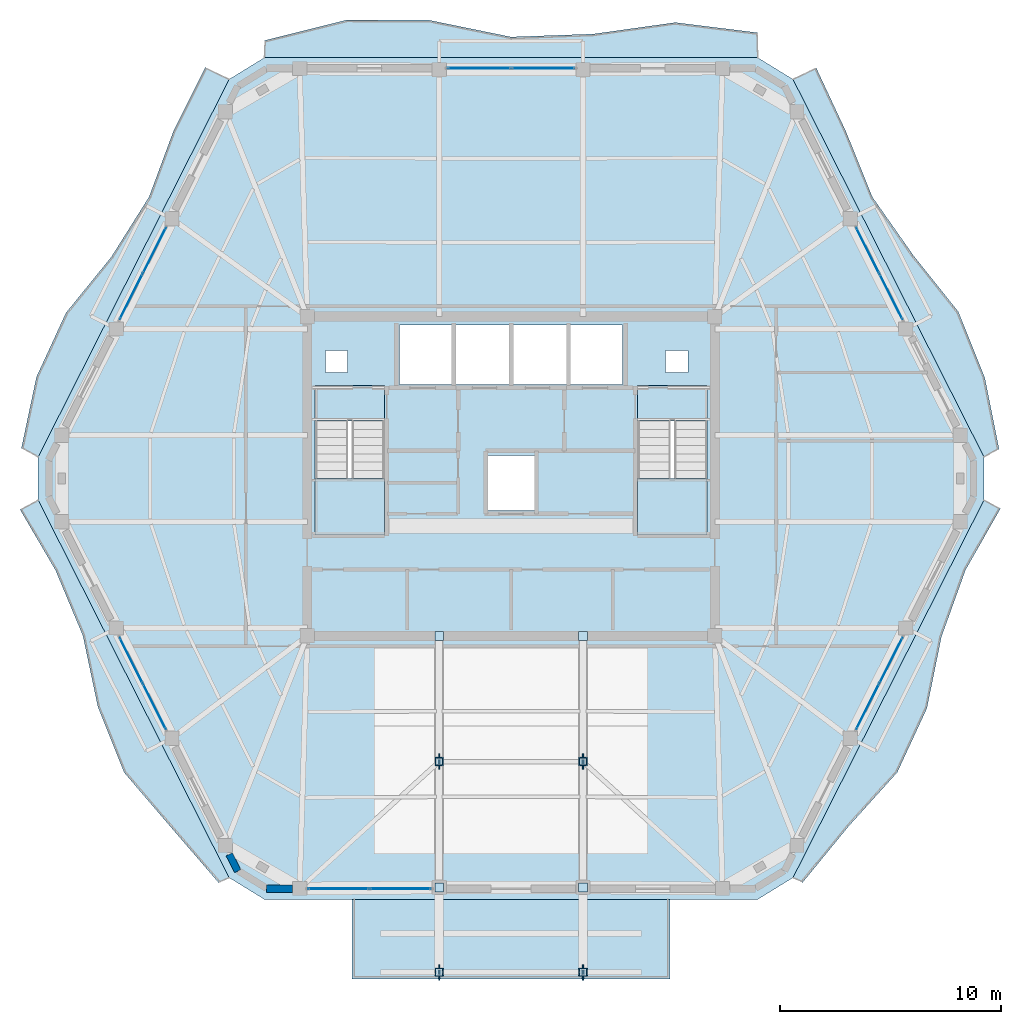
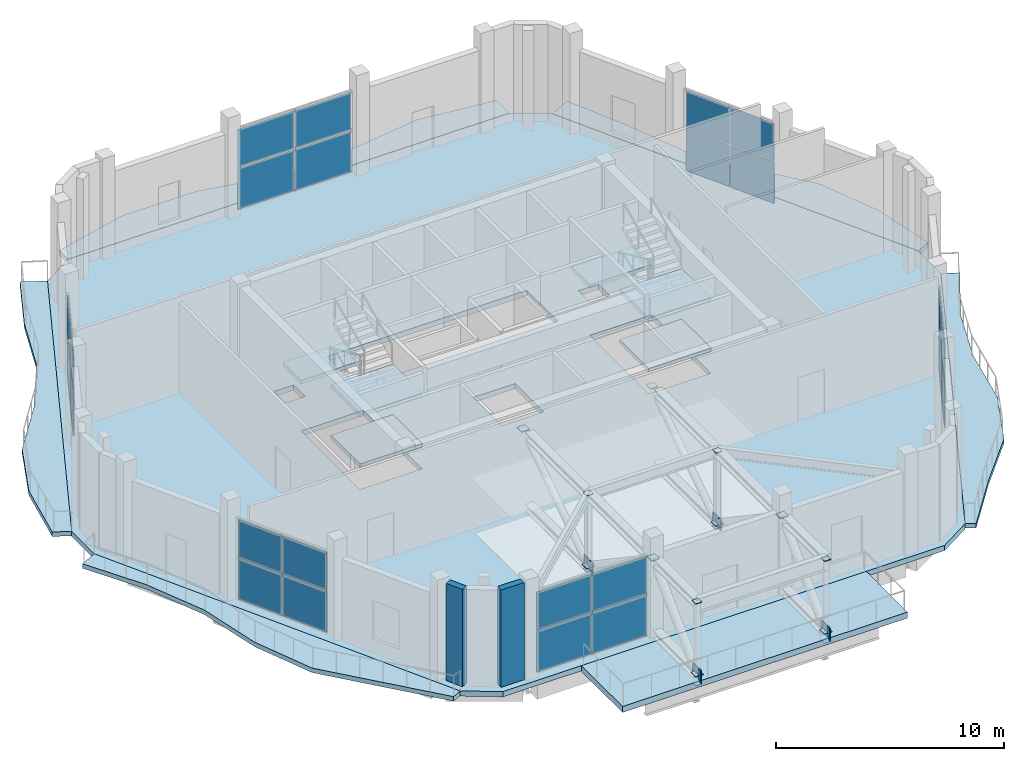
# One storey, part 17 of 23: 44 plates, 13 slabs, 2 walls, 8 elements without a shape of their own.
"""IFC4 building model written with IfcOpenShell, lengths in metres."""

from ifc_helpers import new_model, si_unit, direction, frame, frame_2d, origin, origin_2d, place, context, subcontext, project, spatial, polyline, rectangle, outline, extrude, material, layer, layer_set, type_object, element, aggregate, save


model = new_model("IFC4")

# Units and contexts
model_context = context("Model", 3, precision=1e-05, world=origin(), true_north=direction((0.0, 1.0)))
body_context = subcontext(model_context, "Body", "Model", "MODEL_VIEW")
ifc_project = project(units=[si_unit("LENGTHUNIT", "METRE"), si_unit("AREAUNIT", "SQUARE_METRE"), si_unit("VOLUMEUNIT", "CUBIC_METRE"), si_unit("PLANEANGLEUNIT", "RADIAN"), si_unit("MASSUNIT", "GRAM", prefix="KILO")], contexts=[model_context])

# Site, building, storey
site_placement = place(None, origin())
site = spatial("IfcSite", under=ifc_project, at=site_placement, CompositionType="ELEMENT")
building_placement = place(site_placement, origin())
building = spatial("IfcBuilding", under=site, at=building_placement, Name="Cinnabar Lancet Tower", CompositionType="ELEMENT")
storey_placement = place(building_placement, frame((0.0, 0.0, 278.10009765625)))
storey = spatial("IfcBuildingStorey", under=building, at=storey_placement, Name="L74", CompositionType="ELEMENT", Elevation=278.10009765625)

# Curtain wall, plates
ifc_material_1 = material(Name="Thermally broken bronze-anodized aluminium and low-E glass", Category="aluminium")
ifc_layer_1 = layer(ifc_material_1, 0.179931640625)
ifc_layer_set_1 = layer_set([ifc_layer_1], Name="Thermally broken bronze-anodized aluminium and low-E glass")
curtain_wall_type = type_object("IfcCurtainWallType", Name="ENV-CW-SYS-04", PredefinedType="NOTDEFINED", material=ifc_layer_set_1)
curtain_wall_1_placement = place(storey_placement, origin())
curtain_wall_1 = element("IfcCurtainWall", 1, at=curtain_wall_1_placement, inside=storey, type_object=curtain_wall_type, Name="L74 South Conservatory Curtain Wall", PredefinedType="NOTDEFINED")
ifc_material_2 = material(Name="Double-silver low-E laminated insulated glass unit", Category="glass")
ifc_layer_2 = layer(ifc_material_2, 0.031982421875)
ifc_layer_set_2 = layer_set([ifc_layer_2], Name="Double-silver low-E laminated insulated glass unit")
plate_type_1 = type_object("IfcPlateType", Name="ENV-CW-PNL-32", PredefinedType="CURTAIN_PANEL", material=ifc_layer_set_2)
plate_1_placement = place(storey_placement, frame((24.5869140625, 7.22998046875, 0.06005859375), z_axis=(0.0, 0.0, 1.0), x_axis=(1.0, 0.0, 0.0)))
plate_1 = element("IfcPlate", 2, at=plate_1_placement, type_object=plate_type_1, Name="CW-04 panel 1.1", PredefinedType="CURTAIN_PANEL", context=body_context, shape_type="SweptSolid", body=[
    extrude(rectangle(XDim=2.739990234375, YDim=0.028076171875, at=origin_2d()), origin(), (0.0, 0.0, 1.0), 2.193115234375),
])
plate_2_placement = place(storey_placement, frame((24.5869140625, 7.22998046875, 2.312744140625), z_axis=(0.0, 0.0, 1.0), x_axis=(1.0, 0.0, 0.0)))
plate_2 = element("IfcPlate", 3, at=plate_2_placement, type_object=plate_type_1, Name="CW-04 panel 1.2", PredefinedType="CURTAIN_PANEL", context=body_context, shape_type="SweptSolid", body=[
    extrude(rectangle(XDim=2.739990234375, YDim=0.028076171875, at=origin_2d()), origin(), (0.0, 0.0, 1.0), 2.01708984375),
])
plate_3_placement = place(storey_placement, frame((27.386962890625, 7.22998046875, 0.06005859375), z_axis=(0.0, 0.0, 1.0), x_axis=(1.0, 0.0, 0.0)))
plate_3 = element("IfcPlate", 4, at=plate_3_placement, type_object=plate_type_1, Name="CW-04 panel 2.1", PredefinedType="CURTAIN_PANEL", context=body_context, shape_type="SweptSolid", body=[
    extrude(rectangle(XDim=2.739990234375, YDim=0.028076171875, at=origin_2d()), origin(), (0.0, 0.0, 1.0), 2.193115234375),
])
plate_4_placement = place(storey_placement, frame((27.386962890625, 7.22998046875, 2.312744140625), z_axis=(0.0, 0.0, 1.0), x_axis=(1.0, 0.0, 0.0)))
plate_4 = element("IfcPlate", 5, at=plate_4_placement, type_object=plate_type_1, Name="CW-04 panel 2.2", PredefinedType="CURTAIN_PANEL", context=body_context, shape_type="SweptSolid", body=[
    extrude(rectangle(XDim=2.739990234375, YDim=0.028076171875, at=origin_2d()), origin(), (0.0, 0.0, 1.0), 2.01708984375),
])
aggregate(curtain_wall_1, [plate_1, plate_2, plate_3, plate_4])

curtain_wall_2_placement = place(storey_placement, origin())
curtain_wall_2 = element("IfcCurtainWall", 6, at=curtain_wall_2_placement, inside=storey, type_object=curtain_wall_type, Name="L74 Face 2 Feature Curtain Wall", PredefinedType="NOTDEFINED")
plate_5_placement = place(storey_placement, frame((48.542236328125, 15.481201171875, 0.06005859375), z_axis=(0.0, 0.0, 1.0), x_axis=(0.451354314314, 0.892344822897, 0.0)))
plate_5 = element("IfcPlate", 7, at=plate_5_placement, type_object=plate_type_1, Name="CW-04 panel 1.1", PredefinedType="CURTAIN_PANEL", context=body_context, shape_type="SweptSolid", body=[
    extrude(rectangle(XDim=2.27392578125, YDim=0.028076171875, at=origin_2d()), origin(), (0.0, 0.0, 1.0), 2.193115234375),
])
plate_6_placement = place(storey_placement, frame((48.542236328125, 15.481201171875, 2.312744140625), z_axis=(0.0, 0.0, 1.0), x_axis=(0.451354314314, 0.892344822897, 0.0)))
plate_6 = element("IfcPlate", 8, at=plate_6_placement, type_object=plate_type_1, Name="CW-04 panel 1.2", PredefinedType="CURTAIN_PANEL", context=body_context, shape_type="SweptSolid", body=[
    extrude(rectangle(XDim=2.27392578125, YDim=0.028076171875, at=origin_2d()), origin(), (0.0, 0.0, 1.0), 2.01708984375),
])
plate_7_placement = place(storey_placement, frame((49.595703125, 17.56396484375, 0.06005859375), z_axis=(0.0, 0.0, 1.0), x_axis=(0.451354314314, 0.892344822897, 0.0)))
plate_7 = element("IfcPlate", 9, at=plate_7_placement, type_object=plate_type_1, Name="CW-04 panel 2.1", PredefinedType="CURTAIN_PANEL", context=body_context, shape_type="SweptSolid", body=[
    extrude(rectangle(XDim=2.27392578125, YDim=0.028076171875, at=origin_2d()), origin(), (0.0, 0.0, 1.0), 2.193115234375),
])
plate_8_placement = place(storey_placement, frame((49.595703125, 17.56396484375, 2.312744140625), z_axis=(0.0, 0.0, 1.0), x_axis=(0.451354314314, 0.892344822897, 0.0)))
plate_8 = element("IfcPlate", 10, at=plate_8_placement, type_object=plate_type_1, Name="CW-04 panel 2.2", PredefinedType="CURTAIN_PANEL", context=body_context, shape_type="SweptSolid", body=[
    extrude(rectangle(XDim=2.27392578125, YDim=0.028076171875, at=origin_2d()), origin(), (0.0, 0.0, 1.0), 2.01708984375),
])
aggregate(curtain_wall_2, [plate_5, plate_6, plate_7, plate_8])

curtain_wall_3_placement = place(storey_placement, origin())
curtain_wall_3 = element("IfcCurtainWall", 11, at=curtain_wall_3_placement, inside=storey, type_object=curtain_wall_type, Name="L74 Face 3 Feature Curtain Wall", PredefinedType="NOTDEFINED")
plate_9_placement = place(storey_placement, frame((49.595703125, 34.0361328125, 0.06005859375), z_axis=(0.0, 0.0, 1.0), x_axis=(-0.451354314314, 0.892344822897, 0.0)))
plate_9 = element("IfcPlate", 12, at=plate_9_placement, type_object=plate_type_1, Name="CW-04 panel 1.1", PredefinedType="CURTAIN_PANEL", context=body_context, shape_type="SweptSolid", body=[
    extrude(rectangle(XDim=2.27392578125, YDim=0.028076171875, at=origin_2d()), origin(), (0.0, 0.0, 1.0), 2.193115234375),
])
plate_10_placement = place(storey_placement, frame((49.595703125, 34.0361328125, 2.312744140625), z_axis=(0.0, 0.0, 1.0), x_axis=(-0.451354314314, 0.892344822897, 0.0)))
plate_10 = element("IfcPlate", 13, at=plate_10_placement, type_object=plate_type_1, Name="CW-04 panel 1.2", PredefinedType="CURTAIN_PANEL", context=body_context, shape_type="SweptSolid", body=[
    extrude(rectangle(XDim=2.27392578125, YDim=0.028076171875, at=origin_2d()), origin(), (0.0, 0.0, 1.0), 2.01708984375),
])
plate_11_placement = place(storey_placement, frame((48.542236328125, 36.118896484375, 0.06005859375), z_axis=(0.0, 0.0, 1.0), x_axis=(-0.451354314314, 0.892344822897, 0.0)))
plate_11 = element("IfcPlate", 14, at=plate_11_placement, type_object=plate_type_1, Name="CW-04 panel 2.1", PredefinedType="CURTAIN_PANEL", context=body_context, shape_type="SweptSolid", body=[
    extrude(rectangle(XDim=2.27392578125, YDim=0.028076171875, at=origin_2d()), origin(), (0.0, 0.0, 1.0), 2.193115234375),
])
plate_12_placement = place(storey_placement, frame((48.542236328125, 36.118896484375, 2.312744140625), z_axis=(0.0, 0.0, 1.0), x_axis=(-0.451354314314, 0.892344822897, 0.0)))
plate_12 = element("IfcPlate", 15, at=plate_12_placement, type_object=plate_type_1, Name="CW-04 panel 2.2", PredefinedType="CURTAIN_PANEL", context=body_context, shape_type="SweptSolid", body=[
    extrude(rectangle(XDim=2.27392578125, YDim=0.028076171875, at=origin_2d()), origin(), (0.0, 0.0, 1.0), 2.01708984375),
])
aggregate(curtain_wall_3, [plate_9, plate_10, plate_11, plate_12])

curtain_wall_4_placement = place(storey_placement, origin())
curtain_wall_4 = element("IfcCurtainWall", 16, at=curtain_wall_4_placement, inside=storey, type_object=curtain_wall_type, Name="L74 Face 4 Feature Curtain Wall", PredefinedType="NOTDEFINED")
plate_13_placement = place(storey_placement, frame((33.847412109375, 44.3701171875, 0.06005859375), z_axis=(0.0, 0.0, 1.0), x_axis=(-1.0, 0.0, 0.0)))
plate_13 = element("IfcPlate", 17, at=plate_13_placement, type_object=plate_type_1, Name="CW-04 panel 1.1", PredefinedType="CURTAIN_PANEL", context=body_context, shape_type="SweptSolid", body=[
    extrude(rectangle(XDim=2.8349609375, YDim=0.028076171875, at=origin_2d()), origin(), (0.0, 0.0, 1.0), 2.193115234375),
])
plate_14_placement = place(storey_placement, frame((33.847412109375, 44.3701171875, 2.312744140625), z_axis=(0.0, 0.0, 1.0), x_axis=(-1.0, 0.0, 0.0)))
plate_14 = element("IfcPlate", 18, at=plate_14_placement, type_object=plate_type_1, Name="CW-04 panel 1.2", PredefinedType="CURTAIN_PANEL", context=body_context, shape_type="SweptSolid", body=[
    extrude(rectangle(XDim=2.8349609375, YDim=0.028076171875, at=origin_2d()), origin(), (0.0, 0.0, 1.0), 2.01708984375),
])
plate_15_placement = place(storey_placement, frame((30.952392578125, 44.3701171875, 0.06005859375), z_axis=(0.0, 0.0, 1.0), x_axis=(-1.0, 0.0, 0.0)))
plate_15 = element("IfcPlate", 19, at=plate_15_placement, type_object=plate_type_1, Name="CW-04 panel 2.1", PredefinedType="CURTAIN_PANEL", context=body_context, shape_type="SweptSolid", body=[
    extrude(rectangle(XDim=2.8349609375, YDim=0.028076171875, at=origin_2d()), origin(), (0.0, 0.0, 1.0), 2.193115234375),
])
plate_16_placement = place(storey_placement, frame((30.952392578125, 44.3701171875, 2.312744140625), z_axis=(0.0, 0.0, 1.0), x_axis=(-1.0, 0.0, 0.0)))
plate_16 = element("IfcPlate", 20, at=plate_16_placement, type_object=plate_type_1, Name="CW-04 panel 2.2", PredefinedType="CURTAIN_PANEL", context=body_context, shape_type="SweptSolid", body=[
    extrude(rectangle(XDim=2.8349609375, YDim=0.028076171875, at=origin_2d()), origin(), (0.0, 0.0, 1.0), 2.01708984375),
])
aggregate(curtain_wall_4, [plate_13, plate_14, plate_15, plate_16])

curtain_wall_5_placement = place(storey_placement, origin())
curtain_wall_5 = element("IfcCurtainWall", 21, at=curtain_wall_5_placement, inside=storey, type_object=curtain_wall_type, Name="L74 Face 5 Feature Curtain Wall", PredefinedType="NOTDEFINED")
plate_17_placement = place(storey_placement, frame((16.2578125, 36.118896484375, 0.06005859375), z_axis=(0.0, 0.0, 1.0), x_axis=(-0.451354314314, -0.892344822897, 0.0)))
plate_17 = element("IfcPlate", 22, at=plate_17_placement, type_object=plate_type_1, Name="CW-04 panel 1.1", PredefinedType="CURTAIN_PANEL", context=body_context, shape_type="SweptSolid", body=[
    extrude(rectangle(XDim=2.27392578125, YDim=0.028076171875, at=origin_2d()), origin(), (0.0, 0.0, 1.0), 2.193115234375),
])
plate_18_placement = place(storey_placement, frame((16.2578125, 36.118896484375, 2.312744140625), z_axis=(0.0, 0.0, 1.0), x_axis=(-0.451354314314, -0.892344822897, 0.0)))
plate_18 = element("IfcPlate", 23, at=plate_18_placement, type_object=plate_type_1, Name="CW-04 panel 1.2", PredefinedType="CURTAIN_PANEL", context=body_context, shape_type="SweptSolid", body=[
    extrude(rectangle(XDim=2.27392578125, YDim=0.028076171875, at=origin_2d()), origin(), (0.0, 0.0, 1.0), 2.01708984375),
])
plate_19_placement = place(storey_placement, frame((15.204345703125, 34.0361328125, 0.06005859375), z_axis=(0.0, 0.0, 1.0), x_axis=(-0.451354314314, -0.892344822897, 0.0)))
plate_19 = element("IfcPlate", 24, at=plate_19_placement, type_object=plate_type_1, Name="CW-04 panel 2.1", PredefinedType="CURTAIN_PANEL", context=body_context, shape_type="SweptSolid", body=[
    extrude(rectangle(XDim=2.27392578125, YDim=0.028076171875, at=origin_2d()), origin(), (0.0, 0.0, 1.0), 2.193115234375),
])
plate_20_placement = place(storey_placement, frame((15.204345703125, 34.0361328125, 2.312744140625), z_axis=(0.0, 0.0, 1.0), x_axis=(-0.451354314314, -0.892344822897, 0.0)))
plate_20 = element("IfcPlate", 25, at=plate_20_placement, type_object=plate_type_1, Name="CW-04 panel 2.2", PredefinedType="CURTAIN_PANEL", context=body_context, shape_type="SweptSolid", body=[
    extrude(rectangle(XDim=2.27392578125, YDim=0.028076171875, at=origin_2d()), origin(), (0.0, 0.0, 1.0), 2.01708984375),
])
aggregate(curtain_wall_5, [plate_17, plate_18, plate_19, plate_20])

curtain_wall_6_placement = place(storey_placement, origin())
curtain_wall_6 = element("IfcCurtainWall", 26, at=curtain_wall_6_placement, inside=storey, type_object=curtain_wall_type, Name="L74 Face 6 Feature Curtain Wall", PredefinedType="NOTDEFINED")
plate_21_placement = place(storey_placement, frame((15.204345703125, 17.56396484375, 0.06005859375), z_axis=(0.0, 0.0, 1.0), x_axis=(0.451354314314, -0.892344822897, 0.0)))
plate_21 = element("IfcPlate", 27, at=plate_21_placement, type_object=plate_type_1, Name="CW-04 panel 1.1", PredefinedType="CURTAIN_PANEL", context=body_context, shape_type="SweptSolid", body=[
    extrude(rectangle(XDim=2.27392578125, YDim=0.028076171875, at=origin_2d()), origin(), (0.0, 0.0, 1.0), 2.193115234375),
])
plate_22_placement = place(storey_placement, frame((15.204345703125, 17.56396484375, 2.312744140625), z_axis=(0.0, 0.0, 1.0), x_axis=(0.451354314314, -0.892344822897, 0.0)))
plate_22 = element("IfcPlate", 28, at=plate_22_placement, type_object=plate_type_1, Name="CW-04 panel 1.2", PredefinedType="CURTAIN_PANEL", context=body_context, shape_type="SweptSolid", body=[
    extrude(rectangle(XDim=2.27392578125, YDim=0.028076171875, at=origin_2d()), origin(), (0.0, 0.0, 1.0), 2.01708984375),
])
plate_23_placement = place(storey_placement, frame((16.2578125, 15.481201171875, 0.06005859375), z_axis=(0.0, 0.0, 1.0), x_axis=(0.451354314314, -0.892344822897, 0.0)))
plate_23 = element("IfcPlate", 29, at=plate_23_placement, type_object=plate_type_1, Name="CW-04 panel 2.1", PredefinedType="CURTAIN_PANEL", context=body_context, shape_type="SweptSolid", body=[
    extrude(rectangle(XDim=2.27392578125, YDim=0.028076171875, at=origin_2d()), origin(), (0.0, 0.0, 1.0), 2.193115234375),
])
plate_24_placement = place(storey_placement, frame((16.2578125, 15.481201171875, 2.312744140625), z_axis=(0.0, 0.0, 1.0), x_axis=(0.451354314314, -0.892344822897, 0.0)))
plate_24 = element("IfcPlate", 30, at=plate_24_placement, type_object=plate_type_1, Name="CW-04 panel 2.2", PredefinedType="CURTAIN_PANEL", context=body_context, shape_type="SweptSolid", body=[
    extrude(rectangle(XDim=2.27392578125, YDim=0.028076171875, at=origin_2d()), origin(), (0.0, 0.0, 1.0), 2.01708984375),
])
aggregate(curtain_wall_6, [plate_21, plate_22, plate_23, plate_24])

# Stair, slabs
ifc_material_3 = material(Name="Concrete C40/50", Category="concrete")
stair_type = type_object("IfcStairType", Name="ST-CORE", PredefinedType="HALF_TURN_STAIR", material=ifc_material_3)
stair_1_placement = place(storey_placement, origin())
stair_1 = element("IfcStair", 31, at=stair_1_placement, inside=storey, type_object=stair_type, Name="L74 ST-1", PredefinedType="HALF_TURN_STAIR")
ifc_material_4 = material(Name="Concrete C40/50", Category="concrete")
ifc_layer_3 = layer(ifc_material_4, 0.199951171875)
ifc_layer_set_3 = layer_set([ifc_layer_3], Name="Concrete C40/50")
slab_type_1 = type_object("IfcSlabType", Name="LANDING-CORE", PredefinedType="LANDING", material=ifc_layer_set_3)
slab_1_placement = place(storey_placement, frame((0.0, 0.0, 1.14990234375)))
slab_1 = element("IfcSlab", 32, at=slab_1_placement, type_object=slab_type_1, Name="ST-1 landing 1", PredefinedType="LANDING", context=body_context, shape_type="SweptSolid", body=[
    extrude(outline(polyline([(23.52490234375, 25.80029296875), (23.52490234375, 23.25), (26.675048828125, 23.25), (26.675048828125, 25.80029296875), (23.52490234375, 25.80029296875)])), origin(), (0.0, 0.0, 1.0), 0.199951171875),
])
slab_2_placement = place(storey_placement, frame((0.0, 0.0, 2.5)))
slab_2 = element("IfcSlab", 33, at=slab_2_placement, type_object=slab_type_1, Name="ST-1 landing 2", PredefinedType="LANDING", context=body_context, shape_type="SweptSolid", body=[
    extrude(outline(polyline([(23.52490234375, 30.0), (23.52490234375, 28.39990234375), (26.675048828125, 28.39990234375), (26.675048828125, 30.0), (23.52490234375, 30.0)])), origin(), (0.0, 0.0, 1.0), 0.199951171875),
])
slab_3_placement = place(storey_placement, frame((0.0, 0.0, 3.849853515625)))
slab_3 = element("IfcSlab", 34, at=slab_3_placement, type_object=slab_type_1, Name="ST-1 landing 3", PredefinedType="LANDING", context=body_context, shape_type="SweptSolid", body=[
    extrude(outline(polyline([(23.52490234375, 25.80029296875), (23.52490234375, 23.25), (26.675048828125, 23.25), (26.675048828125, 25.80029296875), (23.52490234375, 25.80029296875)])), origin(), (0.0, 0.0, 1.0), 0.199951171875),
])
aggregate(stair_1, [slab_1, slab_2, slab_3])

stair_2_placement = place(storey_placement, origin())
stair_2 = element("IfcStair", 35, at=stair_2_placement, inside=storey, type_object=stair_type, Name="L74 ST-2", PredefinedType="HALF_TURN_STAIR")
slab_4_placement = place(storey_placement, frame((0.0, 0.0, 1.14990234375)))
slab_4 = element("IfcSlab", 36, at=slab_4_placement, type_object=slab_type_1, Name="ST-2 landing 1", PredefinedType="LANDING", context=body_context, shape_type="SweptSolid", body=[
    extrude(outline(polyline([(38.125, 25.80029296875), (38.125, 23.25), (41.27490234375, 23.25), (41.27490234375, 25.80029296875), (38.125, 25.80029296875)])), origin(), (0.0, 0.0, 1.0), 0.199951171875),
])
slab_5_placement = place(storey_placement, frame((0.0, 0.0, 2.5)))
slab_5 = element("IfcSlab", 37, at=slab_5_placement, type_object=slab_type_1, Name="ST-2 landing 2", PredefinedType="LANDING", context=body_context, shape_type="SweptSolid", body=[
    extrude(outline(polyline([(38.125, 30.0), (38.125, 28.39990234375), (41.27490234375, 28.39990234375), (41.27490234375, 30.0), (38.125, 30.0)])), origin(), (0.0, 0.0, 1.0), 0.199951171875),
])
slab_6_placement = place(storey_placement, frame((0.0, 0.0, 3.849853515625)))
slab_6 = element("IfcSlab", 38, at=slab_6_placement, type_object=slab_type_1, Name="ST-2 landing 3", PredefinedType="LANDING", context=body_context, shape_type="SweptSolid", body=[
    extrude(outline(polyline([(38.125, 25.80029296875), (38.125, 23.25), (41.27490234375, 23.25), (41.27490234375, 25.80029296875), (38.125, 25.80029296875)])), origin(), (0.0, 0.0, 1.0), 0.199951171875),
])
aggregate(stair_2, [slab_4, slab_5, slab_6])

# Plates
ifc_material_5 = material(Name="Structural steel S460", Category="steel")
ifc_layer_4 = layer(ifc_material_5, 0.030029296875)
ifc_layer_set_4 = layer_set([ifc_layer_4], Name="Structural steel S460")
plate_type_2 = type_object("IfcPlateType", Name="STR-PL-CAP-25", PredefinedType="SHEET", material=ifc_layer_set_4)
for number, where, z_axis, x_axis, name in (
    (39, (29.14599609375, 12.98291015625, 0.18505859375), (0.0, 0.0, 1.0), (0.0, 1.0, 0.0), "Hollow section end cap plate CP-SPD-1-2B"),
    (40, (29.14599609375, 18.675048828125, 4.044921875), (0.0, 0.0, 1.0), (0.0, 1.0, 0.0), "Hollow section end cap plate CP-SPD-1-3B"),
):
    element("IfcPlate", number, at=place(storey_placement, frame(where, z_axis=z_axis, x_axis=x_axis)), inside=storey, type_object=plate_type_2, Name=name, PredefinedType="SHEET", context=body_context, shape_type="SweptSolid", body=[
        extrude(rectangle(XDim=0.39990234375, YDim=0.39990234375, at=origin_2d()), origin(), (0.0, 0.0, 1.0), 0.030029296875),
    ])
for number, where, z_axis, x_axis, name in (
    (41, (29.14599609375, 12.98291015625, -0.02490234375), (0.0, 0.0, 1.0), (1.0, 0.0, 0.0), "Hollow section end cap plate CP-SPVP-1-130B"),
    (42, (29.14599609375, 12.98291015625, 4.044921875), (0.0, 0.0, 1.0), (1.0, 0.0, 0.0), "Hollow section end cap plate CP-SPVP-1-130T"),
):
    element("IfcPlate", number, at=place(storey_placement, frame(where, z_axis=z_axis, x_axis=x_axis)), inside=storey, type_object=plate_type_2, Name=name, PredefinedType="SHEET", context=body_context, shape_type="SweptSolid", body=[
        extrude(rectangle(XDim=0.322998046875, YDim=0.322998046875, at=origin_2d()), origin(), (0.0, 0.0, 1.0), 0.030029296875),
    ])
for number, where, z_axis, x_axis, name in (
    (43, (35.654052734375, 12.98291015625, 0.18505859375), (0.0, 0.0, 1.0), (0.0, 1.0, 0.0), "Hollow section end cap plate CP-SPD-2-2B"),
    (44, (35.654052734375, 18.675048828125, 4.044921875), (0.0, 0.0, 1.0), (0.0, 1.0, 0.0), "Hollow section end cap plate CP-SPD-2-3B"),
):
    element("IfcPlate", number, at=place(storey_placement, frame(where, z_axis=z_axis, x_axis=x_axis)), inside=storey, type_object=plate_type_2, Name=name, PredefinedType="SHEET", context=body_context, shape_type="SweptSolid", body=[
        extrude(rectangle(XDim=0.39990234375, YDim=0.39990234375, at=origin_2d()), origin(), (0.0, 0.0, 1.0), 0.030029296875),
    ])
for number, where, z_axis, x_axis, name in (
    (45, (35.654052734375, 12.98291015625, -0.02490234375), (0.0, 0.0, 1.0), (1.0, 0.0, 0.0), "Hollow section end cap plate CP-SPVP-2-130B"),
    (46, (35.654052734375, 12.98291015625, 4.044921875), (0.0, 0.0, 1.0), (1.0, 0.0, 0.0), "Hollow section end cap plate CP-SPVP-2-130T"),
):
    element("IfcPlate", number, at=place(storey_placement, frame(where, z_axis=z_axis, x_axis=x_axis)), inside=storey, type_object=plate_type_2, Name=name, PredefinedType="SHEET", context=body_context, shape_type="SweptSolid", body=[
        extrude(rectangle(XDim=0.322998046875, YDim=0.322998046875, at=origin_2d()), origin(), (0.0, 0.0, 1.0), 0.030029296875),
    ])
ifc_material_6 = material(Name="Structural steel S460", Category="steel")
ifc_layer_5 = layer(ifc_material_6, 0.028076171875)
ifc_layer_set_5 = layer_set([ifc_layer_5], Name="Structural steel S460")
plate_type_3 = type_object("IfcPlateType", Name="STR-PL-CAP-28E", PredefinedType="SHEET", material=ifc_layer_set_5)
for number, where, z_axis, x_axis, name in (
    (47, (29.14599609375, 3.449951171875, 0.18505859375), (0.0, 0.0, 1.0), (0.0, -1.0, 0.0), "Hollow section end cap plate CP-SPD-1-1A"),
    (48, (29.14599609375, 7.2919921875, 4.044921875), (0.0, 0.0, 1.0), (0.0, 1.0, 0.0), "Hollow section end cap plate CP-SPD-1-1B"),
):
    element("IfcPlate", number, at=place(storey_placement, frame(where, z_axis=z_axis, x_axis=x_axis)), inside=storey, type_object=plate_type_3, Name=name, PredefinedType="SHEET", context=body_context, shape_type="SweptSolid", body=[
        extrude(rectangle(XDim=0.39990234375, YDim=0.39990234375, at=origin_2d()), origin(), (0.0, 0.0, 1.0), 0.030029296875),
    ])
for number, where, z_axis, x_axis, name in (
    (49, (29.14599609375, 3.449951171875, -0.34521484375), (0.0, 0.0, 1.0), (1.0, 0.0, 0.0), "Hollow section end cap plate CP-SPVP-1-34B"),
    (50, (29.14599609375, 3.449951171875, 4.044921875), (0.0, 0.0, 1.0), (1.0, 0.0, 0.0), "Hollow section end cap plate CP-SPVP-1-34T"),
):
    element("IfcPlate", number, at=place(storey_placement, frame(where, z_axis=z_axis, x_axis=x_axis)), inside=storey, type_object=plate_type_3, Name=name, PredefinedType="SHEET", context=body_context, shape_type="SweptSolid", body=[
        extrude(rectangle(XDim=0.322998046875, YDim=0.322998046875, at=origin_2d()), origin(), (0.0, 0.0, 1.0), 0.030029296875),
    ])
for number, where, z_axis, x_axis, name in (
    (51, (35.654052734375, 3.449951171875, 0.18505859375), (0.0, 0.0, 1.0), (0.0, -1.0, 0.0), "Hollow section end cap plate CP-SPD-2-1A"),
    (52, (35.654052734375, 7.2919921875, 4.044921875), (0.0, 0.0, 1.0), (0.0, 1.0, 0.0), "Hollow section end cap plate CP-SPD-2-1B"),
):
    element("IfcPlate", number, at=place(storey_placement, frame(where, z_axis=z_axis, x_axis=x_axis)), inside=storey, type_object=plate_type_3, Name=name, PredefinedType="SHEET", context=body_context, shape_type="SweptSolid", body=[
        extrude(rectangle(XDim=0.39990234375, YDim=0.39990234375, at=origin_2d()), origin(), (0.0, 0.0, 1.0), 0.030029296875),
    ])
for number, where, z_axis, x_axis, name in (
    (53, (35.654052734375, 3.449951171875, -0.34521484375), (0.0, 0.0, 1.0), (1.0, 0.0, 0.0), "Hollow section end cap plate CP-SPVP-2-34B"),
    (54, (35.654052734375, 3.449951171875, 4.044921875), (0.0, 0.0, 1.0), (1.0, 0.0, 0.0), "Hollow section end cap plate CP-SPVP-2-34T"),
):
    element("IfcPlate", number, at=place(storey_placement, frame(where, z_axis=z_axis, x_axis=x_axis)), inside=storey, type_object=plate_type_3, Name=name, PredefinedType="SHEET", context=body_context, shape_type="SweptSolid", body=[
        extrude(rectangle(XDim=0.322998046875, YDim=0.322998046875, at=origin_2d()), origin(), (0.0, 0.0, 1.0), 0.030029296875),
    ])
ifc_material_7 = material(Name="Structural steel S460", Category="steel")
ifc_layer_6 = layer(ifc_material_7, 0.050048828125)
ifc_layer_set_6 = layer_set([ifc_layer_6], Name="Structural steel S460")
plate_type_4 = type_object("IfcPlateType", Name="STR-PL-GUS-50", PredefinedType="USERDEFINED", material=ifc_layer_set_6)
for number, where, z_axis, x_axis, name in (
    (55, (29.14599609375, 12.98291015625, -0.14013671875), (0.0, 0.0, 1.0), (1.0, 0.0, 0.0), "L74 Sky-Pool Node Gusset 1"),
    (56, (35.654052734375, 12.98291015625, -0.14013671875), (0.0, 0.0, 1.0), (1.0, 0.0, 0.0), "L74 Sky-Pool Node Gusset 2"),
):
    element("IfcPlate", number, at=place(storey_placement, frame(where, z_axis=z_axis, x_axis=x_axis)), inside=storey, type_object=plate_type_4, Name=name, ObjectType="GUSSET PLATE", PredefinedType="USERDEFINED", context=body_context, shape_type="SweptSolid", body=[
        extrude(rectangle(XDim=0.050048828125, YDim=0.699951171875, at=origin_2d()), origin(), (0.0, 0.0, 1.0), 0.699951171875),
    ])
ifc_material_8 = material(Name="Structural steel S460", Category="steel")
ifc_layer_7 = layer(ifc_material_8, 0.054931640625)
ifc_layer_set_7 = layer_set([ifc_layer_7], Name="Structural steel S460")
plate_type_5 = type_object("IfcPlateType", Name="STR-PL-GUS-55E", PredefinedType="USERDEFINED", material=ifc_layer_set_7)
for number, where, z_axis, x_axis, name in (
    (57, (29.14599609375, 3.449951171875, -0.14013671875), (0.0, 0.0, 1.0), (1.0, 0.0, 0.0), "L74 Sky-Pool Node Gusset 1"),
    (58, (35.654052734375, 3.449951171875, -0.14013671875), (0.0, 0.0, 1.0), (1.0, 0.0, 0.0), "L74 Sky-Pool Node Gusset 2"),
):
    element("IfcPlate", number, at=place(storey_placement, frame(where, z_axis=z_axis, x_axis=x_axis)), inside=storey, type_object=plate_type_5, Name=name, ObjectType="GUSSET PLATE", PredefinedType="USERDEFINED", context=body_context, shape_type="SweptSolid", body=[
        extrude(rectangle(XDim=0.050048828125, YDim=0.699951171875, at=origin_2d()), origin(), (0.0, 0.0, 1.0), 0.699951171875),
    ])

# Slabs
ifc_material_9 = material(Name="Concrete C45/55", Category="concrete")
ifc_layer_8 = layer(ifc_material_9, 0.280029296875)
ifc_layer_set_8 = layer_set([ifc_layer_8], Name="Concrete C45/55")
slab_type_2 = type_object("IfcSlabType", Name="STR-SLB-FLR-280", PredefinedType="FLOOR", material=ifc_layer_set_8)
slab_7_placement = place(storey_placement, frame((0.0, 0.0, -0.280029296875)))
element("IfcSlab", 59, at=slab_7_placement, inside=storey, type_object=slab_type_2, Name="L74 Structural Floor Slab", PredefinedType="FLOOR", context=body_context, shape_type="SweptSolid", body=[
    extrude(outline(polyline([(19.638916015625, 7.73193359375), (21.236083984375, 6.75), (43.56396484375, 6.75), (45.160888671875, 7.73193359375), (53.802978515625, 24.818115234375), (53.802978515625, 26.781982421875), (45.160888671875, 43.867919921875), (43.56396484375, 44.85009765625), (21.236083984375, 44.85009765625), (19.638916015625, 43.867919921875), (10.9970703125, 26.781982421875), (10.9970703125, 24.818115234375), (19.638916015625, 7.73193359375)]), holes=[polyline([(23.52490234375, 23.25), (26.675048828125, 23.25), (26.675048828125, 28.3994140625), (23.52490234375, 28.3994140625), (23.52490234375, 23.25)]), polyline([(38.125, 23.25), (41.27490234375, 23.25), (41.27490234375, 28.3994140625), (38.125, 28.3994140625), (38.125, 23.25)]), polyline([(27.35009765625, 30.050048828125), (37.449951171875, 30.050048828125), (37.449951171875, 32.75), (27.35009765625, 32.75), (27.35009765625, 30.050048828125)]), polyline([(31.35009765625, 24.35009765625), (33.449951171875, 24.35009765625), (33.449951171875, 26.85009765625), (31.35009765625, 26.85009765625), (31.35009765625, 24.35009765625)]), polyline([(24.0, 30.60009765625), (25.0, 30.60009765625), (25.0, 31.60009765625), (24.0, 31.60009765625), (24.0, 30.60009765625)]), polyline([(39.39990234375, 30.60009765625), (40.39990234375, 30.60009765625), (40.39990234375, 31.60009765625), (39.39990234375, 31.60009765625), (39.39990234375, 30.60009765625)])]), origin(), (0.0, 0.0, 1.0), 0.280029296875),
])
ifc_material_10 = material(Name="Concrete C45/55", Category="concrete")
ifc_layer_9 = layer(ifc_material_10, 0.320068359375)
ifc_layer_set_9 = layer_set([ifc_layer_9], Name="Concrete C45/55")
slab_type_3 = type_object("IfcSlabType", Name="STR-SLB-POOL-320", PredefinedType="FLOOR", material=ifc_layer_set_9)
slab_8_placement = place(storey_placement, frame((0.0, 0.0, -0.320068359375)))
element("IfcSlab", 60, at=slab_8_placement, inside=storey, type_object=slab_type_3, Name="L74 Cantilevered Sky-Pool Promenade and Vessel Slab", PredefinedType="FLOOR", context=body_context, shape_type="SweptSolid", body=[
    extrude(outline(polyline([(25.199951171875, 3.14990234375), (39.60009765625, 3.14990234375), (39.60009765625, 6.75), (25.199951171875, 6.75), (25.199951171875, 3.14990234375)])), origin(), (0.0, 0.0, 1.0), 0.320068359375),
])
ifc_material_11 = material(Name="Concrete C45/55", Category="concrete")
ifc_layer_10 = layer(ifc_material_11, 0.239990234375)
ifc_layer_set_10 = layer_set([ifc_layer_10], Name="Concrete C45/55")
slab_type_4 = type_object("IfcSlabType", Name="STR-SLB-WAV-240", PredefinedType="FLOOR", material=ifc_layer_set_10)
slab_9_placement = place(storey_placement, frame((0.0, 0.0, -0.239990234375)))
element("IfcSlab", 61, at=slab_9_placement, inside=storey, type_object=slab_type_4, Name="L74 Face 2 Undulating Wave Balcony Slab", PredefinedType="FLOOR", context=body_context, shape_type="SweptSolid", body=[
    extrude(outline(polyline([(45.160888671875, 7.73193359375), (45.594970703125, 7.512939453125), (47.6640625, 10.0419921875), (49.8798828125, 12.498046875), (51.220947265625, 15.39501953125), (51.8798828125, 18.637939453125), (52.970947265625, 21.662109375), (54.551025390625, 24.43994140625), (53.802978515625, 24.818115234375), (45.160888671875, 7.73193359375)])), origin(), (0.0, 0.0, 1.0), 0.239990234375),
])
slab_10_placement = place(storey_placement, frame((0.0, 0.0, -0.239990234375)))
element("IfcSlab", 62, at=slab_10_placement, inside=storey, type_object=slab_type_4, Name="L74 Face 3 Undulating Wave Balcony Slab", PredefinedType="FLOOR", context=body_context, shape_type="SweptSolid", body=[
    extrude(outline(polyline([(53.802978515625, 26.781982421875), (54.488037109375, 27.1279296875), (53.839111328125, 30.3759765625), (52.64501953125, 33.347900390625), (50.611083984375, 35.89599609375), (48.757080078125, 38.533935546875), (47.55810546875, 41.50390625), (46.205078125, 44.39599609375), (45.160888671875, 43.867919921875), (53.802978515625, 26.781982421875)])), origin(), (0.0, 0.0, 1.0), 0.239990234375),
])
slab_11_placement = place(storey_placement, frame((0.0, 0.0, -0.239990234375)))
element("IfcSlab", 63, at=slab_11_placement, inside=storey, type_object=slab_type_4, Name="L74 Face 4 Undulating Wave Balcony Slab", PredefinedType="FLOOR", context=body_context, shape_type="SweptSolid", body=[
    extrude(outline(polyline([(43.56396484375, 44.85009765625), (43.56396484375, 45.97802734375), (39.843017578125, 46.44091796875), (36.12109375, 45.9208984375), (32.39990234375, 45.787109375), (28.678955078125, 46.548095703125), (24.95703125, 46.553955078125), (21.236083984375, 45.6279296875), (21.236083984375, 44.85009765625), (43.56396484375, 44.85009765625)])), origin(), (0.0, 0.0, 1.0), 0.239990234375),
])
slab_12_placement = place(storey_placement, frame((0.0, 0.0, -0.239990234375)))
element("IfcSlab", 64, at=slab_12_placement, inside=storey, type_object=slab_type_4, Name="L74 Face 5 Undulating Wave Balcony Slab", PredefinedType="FLOOR", context=body_context, shape_type="SweptSolid", body=[
    extrude(outline(polyline([(19.638916015625, 43.867919921875), (18.56201171875, 44.4130859375), (17.133056640625, 41.55908203125), (16.01611328125, 38.548095703125), (14.31103515625, 35.833984375), (12.25390625, 33.298095703125), (10.91796875, 30.39794921875), (10.235107421875, 27.16796875), (10.9970703125, 26.781982421875), (19.638916015625, 43.867919921875)])), origin(), (0.0, 0.0, 1.0), 0.239990234375),
])
slab_13_placement = place(storey_placement, frame((0.0, 0.0, -0.239990234375)))
element("IfcSlab", 65, at=slab_13_placement, inside=storey, type_object=slab_type_4, Name="L74 Face 6 Undulating Wave Balcony Slab", PredefinedType="FLOOR", context=body_context, shape_type="SweptSolid", body=[
    extrude(outline(polyline([(10.9970703125, 24.818115234375), (10.172119140625, 24.39990234375), (11.784912109375, 21.639892578125), (13.01904296875, 18.68798828125), (13.700927734375, 15.45703125), (14.89306640625, 12.48388671875), (17.027099609375, 9.987060546875), (19.173095703125, 7.49609375), (19.638916015625, 7.73193359375), (10.9970703125, 24.818115234375)])), origin(), (0.0, 0.0, 1.0), 0.239990234375),
])

# Walls
ifc_material_12 = material(Name="Warm buff clay brick", Category="masonry")
ifc_layer_11 = layer(ifc_material_12, 0.320068359375)
ifc_layer_set_11 = layer_set([ifc_layer_11], Name="Warm buff clay brick")
wall_type = type_object("IfcWallType", Name="ENV-WL-BRK-BUF-320", PredefinedType="STANDARD", material=ifc_layer_set_11)
wall_1_placement = place(storey_placement, frame((21.327880859375, 7.22998046875, 0.0), z_axis=(0.0, 0.0, 1.0), x_axis=(1.0, 0.0, 0.0)))
element("IfcWall", 66, at=wall_1_placement, inside=storey, type_object=wall_type, Name="L74 Face 1 Masonry Bay Wall 1", PredefinedType="STANDARD", context=body_context, shape_type="SweptSolid", body=[
    extrude(rectangle(XDim=1.171142578125, YDim=0.320068359375, at=frame_2d((0.58544921875, 0.0))), origin(), (0.0, 0.0, 1.0), 5.199951171875),
])
wall_2_placement = place(storey_placement, frame((19.64208984375, 8.7900390625, 0.0), z_axis=(0.0, 0.0, 1.0), x_axis=(0.451227648573, -0.892408880034, 0.0)))
element("IfcWall", 67, at=wall_2_placement, inside=storey, type_object=wall_type, Name="L74 Face 6 Masonry Bay Wall 5", PredefinedType="STANDARD", context=body_context, shape_type="SweptSolid", body=[
    extrude(rectangle(XDim=0.8505859375, YDim=0.320068359375, at=frame_2d((0.42529296875, 0.0))), origin(), (0.0, 0.0, 1.0), 5.199951171875),
])

save(model, "model.ifc")
